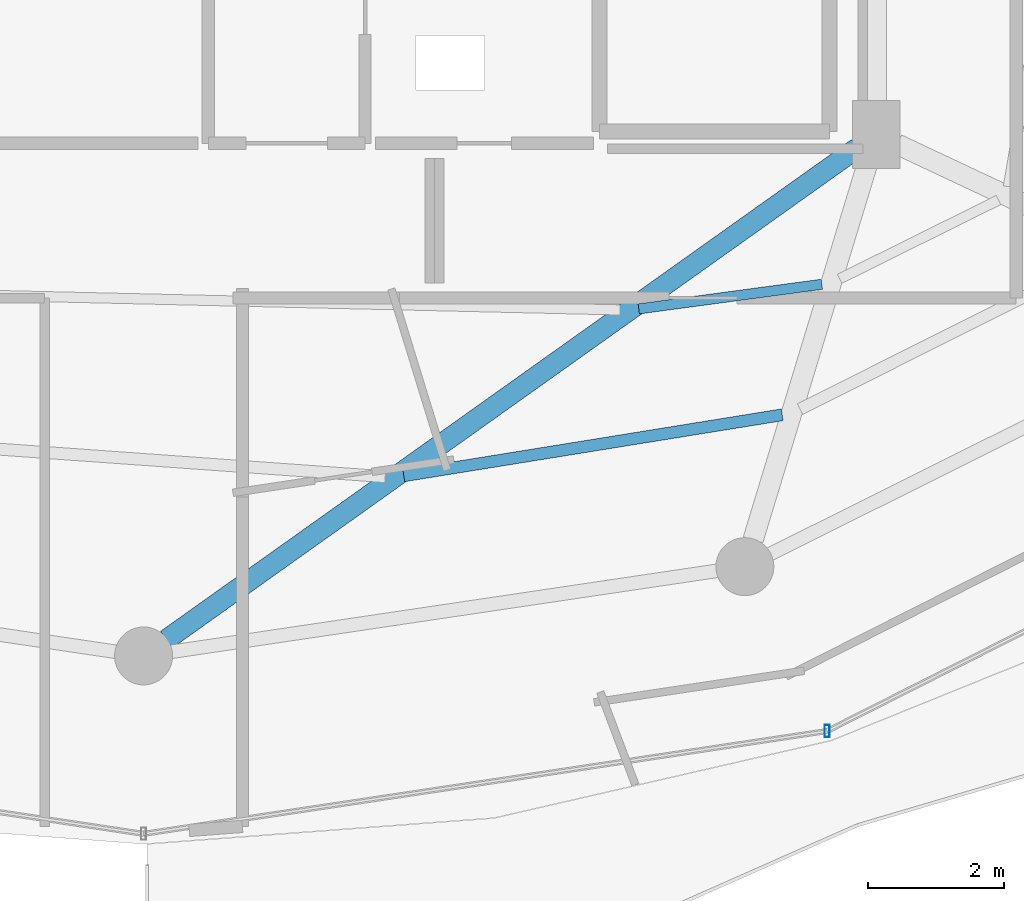
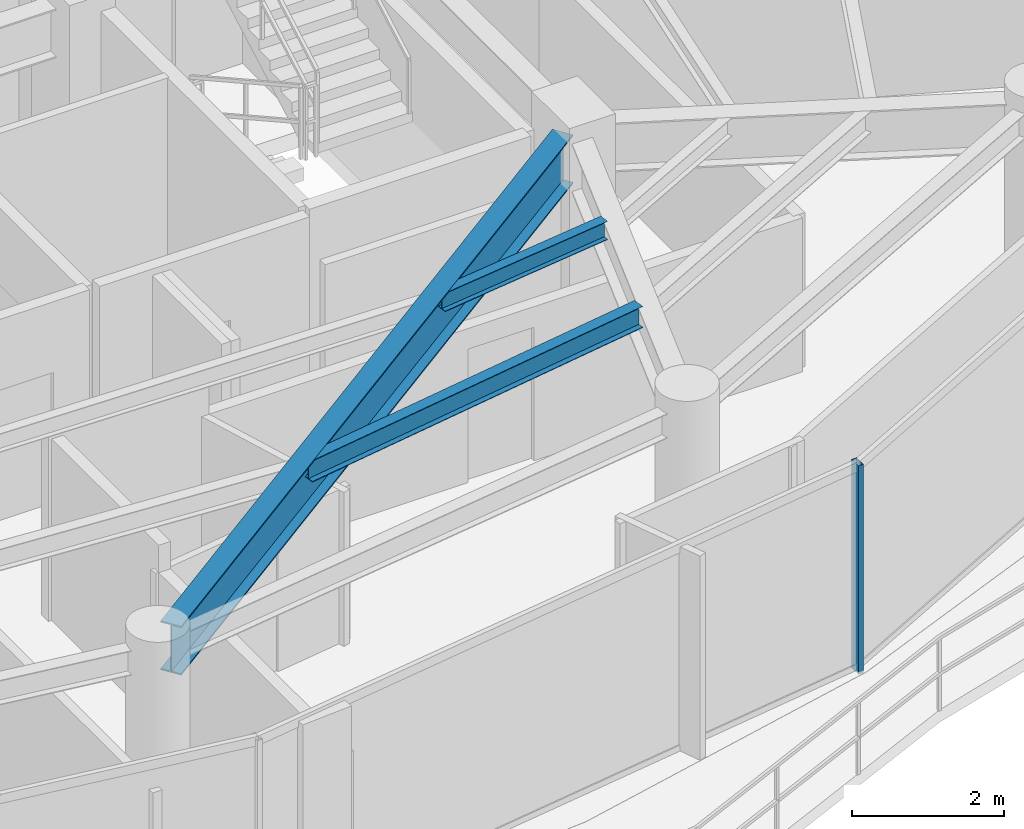
# One storey, part 10 of 30: 3 beams, 1 member, 1 element without a shape of its own.
"""IFC4 building model written with IfcOpenShell, lengths in metres."""

from ifc_helpers import new_model, si_unit, direction, frame, origin, origin_2d, place, context, subcontext, project, spatial, hollow_rectangle, i_section, extrude, material, material_profile, profile_set, type_object, element, aggregate, save


model = new_model("IFC4")

# Units and contexts
model_context = context("Model", 3, precision=1e-05, world=origin(), true_north=direction((0.0, 1.0)))
body_context = subcontext(model_context, "Body", "Model", "MODEL_VIEW")
ifc_project = project(units=[si_unit("LENGTHUNIT", "METRE"), si_unit("AREAUNIT", "SQUARE_METRE"), si_unit("VOLUMEUNIT", "CUBIC_METRE"), si_unit("PLANEANGLEUNIT", "RADIAN"), si_unit("MASSUNIT", "GRAM", prefix="KILO")], contexts=[model_context])

# Site, building, storey
site_placement = place(None, origin())
site = spatial("IfcSite", under=ifc_project, at=site_placement, CompositionType="ELEMENT")
building_placement = place(site_placement, origin())
building = spatial("IfcBuilding", under=site, at=building_placement, Name="Vorneva Point Tower", CompositionType="ELEMENT")
storey_placement = place(building_placement, frame((0.0, 0.0, 241.35009765625)))
storey = spatial("IfcBuildingStorey", under=building, at=storey_placement, Name="L65", CompositionType="ELEMENT", Elevation=241.35009765625)

# Beams
ifc_material_1 = material(Name="Steel S355", Category="steel")
ifc_material_profile_1 = material_profile(ifc_material_1, i_section(OverallWidth=0.300048828125, OverallDepth=0.7880859375, WebThickness=0.014404296875, FlangeThickness=0.02197265625, at=origin_2d()), Name="80Sh1")
ifc_profile_set_1 = profile_set([ifc_material_profile_1], Name="Steel S355")
beam_type_1 = type_object("IfcBeamType", Name="BM-GRD-80Sh1", PredefinedType="USERDEFINED", material=ifc_profile_set_1)
beam_1_placement = place(storey_placement, frame((38.33642578125, 9.03955078125, 2.89599609375), z_axis=(0.814757147543, 0.579802371958, 0.0), x_axis=(-0.579802371958, 0.814757147543, 0.0)))
element("IfcBeam", 1, at=beam_1_placement, inside=storey, type_object=beam_type_1, Name="L65 Radial Primary Girder 13", ObjectType="GIRDER", PredefinedType="USERDEFINED", context=body_context, shape_type="SweptSolid", body=[
    extrude(i_section(OverallWidth=0.300048828125, OverallDepth=0.7880859375, WebThickness=0.014404296875, FlangeThickness=0.02197265625, at=origin_2d()), origin(), (0.0, 0.0, 1.0), 12.441162109375),
])
ifc_material_profile_2 = material_profile(ifc_material_1, i_section(OverallWidth=0.14892578125, OverallDepth=0.298095703125, WebThickness=0.005615234375, FlangeThickness=0.008056640625, at=origin_2d()), Name="30B1")
ifc_profile_set_2 = profile_set([ifc_material_profile_2], Name="Steel S355")
beam_type_2 = type_object("IfcBeamType", Name="BM-JST-30B1", PredefinedType="JOIST", material=ifc_profile_set_2)
beam_2_placement = place(storey_placement, frame((45.2646484375, 13.890869140625, 3.140869140625), z_axis=(0.991092022882, 0.133178835332, 0.0), x_axis=(-0.133178835332, 0.991092022882, 0.0)))
element("IfcBeam", 2, at=beam_2_placement, inside=storey, type_object=beam_type_2, Name="L65 Secondary Floor Beam 2.13", PredefinedType="JOIST", context=body_context, shape_type="SweptSolid", body=[
    extrude(i_section(OverallWidth=0.14892578125, OverallDepth=0.298095703125, WebThickness=0.005615234375, FlangeThickness=0.008056640625, at=origin_2d()), origin(), (0.0, 0.0, 1.0), 2.70947265625),
])
ifc_material_profile_3 = material_profile(ifc_material_1, i_section(OverallWidth=0.174072265625, OverallDepth=0.345947265625, WebThickness=0.006103515625, FlangeThickness=0.009033203125, at=origin_2d()), Name="35B1")
ifc_profile_set_3 = profile_set([ifc_material_profile_3], Name="Steel S355")
beam_type_3 = type_object("IfcBeamType", Name="BM-SEC-35B1", PredefinedType="BEAM", material=ifc_profile_set_3)
beam_3_placement = place(storey_placement, frame((41.81787109375, 11.44189453125, 3.116943359375), z_axis=(0.98724398281, 0.159214692804, 0.0), x_axis=(-0.159214692804, 0.98724398281, 0.0)))
element("IfcBeam", 3, at=beam_3_placement, inside=storey, type_object=beam_type_3, Name="L65 Secondary Floor Beam 1.13", PredefinedType="BEAM", context=body_context, shape_type="SweptSolid", body=[
    extrude(i_section(OverallWidth=0.174072265625, OverallDepth=0.345947265625, WebThickness=0.006103515625, FlangeThickness=0.009033203125, at=origin_2d()), origin(), (0.0, 0.0, 1.0), 5.623046875),
])

# Curtain wall, member
ifc_material_2 = material(Name="Pale anodised aluminium", Category="aluminium")
curtain_wall_type = type_object("IfcCurtainWallType", Name="CW-RES-SYS", PredefinedType="NOTDEFINED", material=ifc_material_2)
curtain_wall_placement = place(storey_placement, origin())
curtain_wall = element("IfcCurtainWall", 4, at=curtain_wall_placement, inside=storey, type_object=curtain_wall_type, Name="L65 Unitised Curtain Wall CW-L65-R04", PredefinedType="NOTDEFINED")
ifc_material_profile_4 = material_profile(ifc_material_2, hollow_rectangle(XDim=0.074951171875, YDim=0.179931640625, WallThickness=0.00390625, at=origin_2d()), Name="AL-MUL 180x75x4")
ifc_profile_set_4 = profile_set([ifc_material_profile_4], Name="Pale anodised aluminium")
member_type = type_object("IfcMemberType", Name="CW-MUL-180", PredefinedType="MULLION", material=ifc_profile_set_4)
member_placement = place(storey_placement, frame((48.0263671875, 7.697998046875, -0.0400390625), z_axis=(0.0, 0.0, 1.0), x_axis=(1.0, 0.0, 0.0)))
member = element("IfcMember", 5, at=member_placement, type_object=member_type, Name="CW-L65-R04 Mullion 04", PredefinedType="MULLION", context=body_context, shape_type="SweptSolid", body=[
    extrude(hollow_rectangle(XDim=0.074951171875, YDim=0.179931640625, WallThickness=0.00390625, at=origin_2d()), origin(), (0.0, 0.0, 1.0), 3.35986328125),
])
aggregate(curtain_wall, [member])

save(model, "model.ifc")
